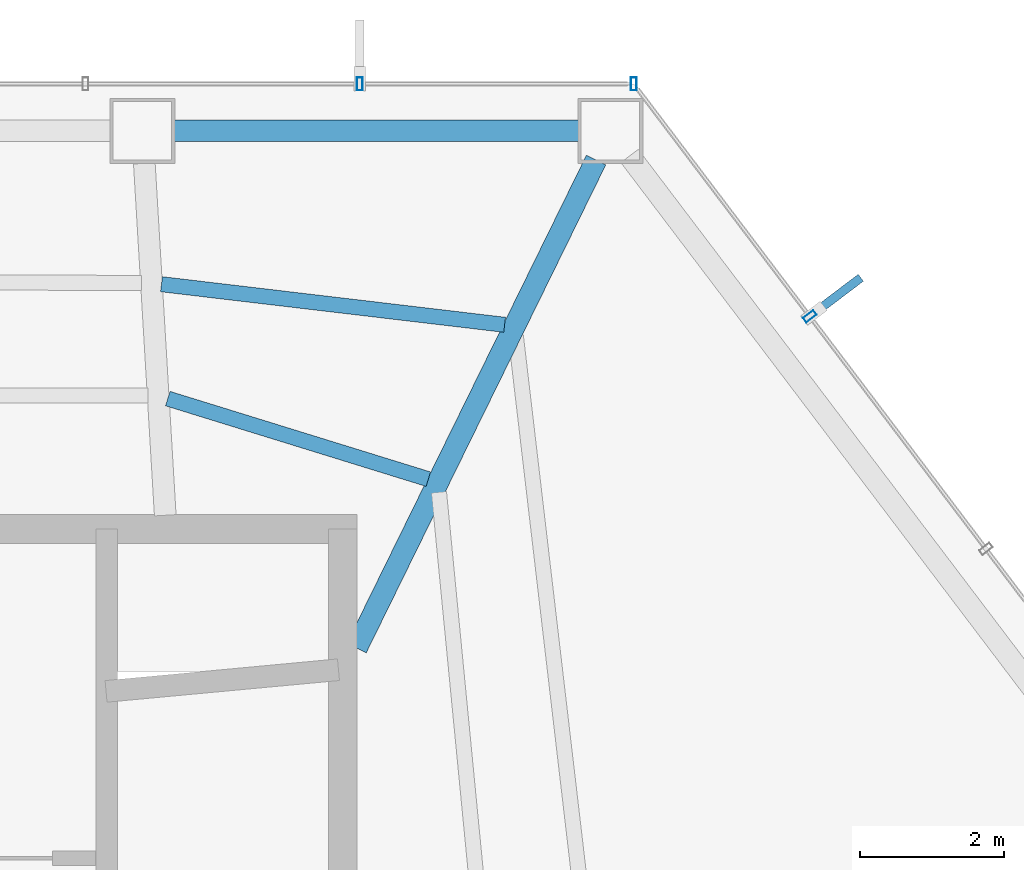
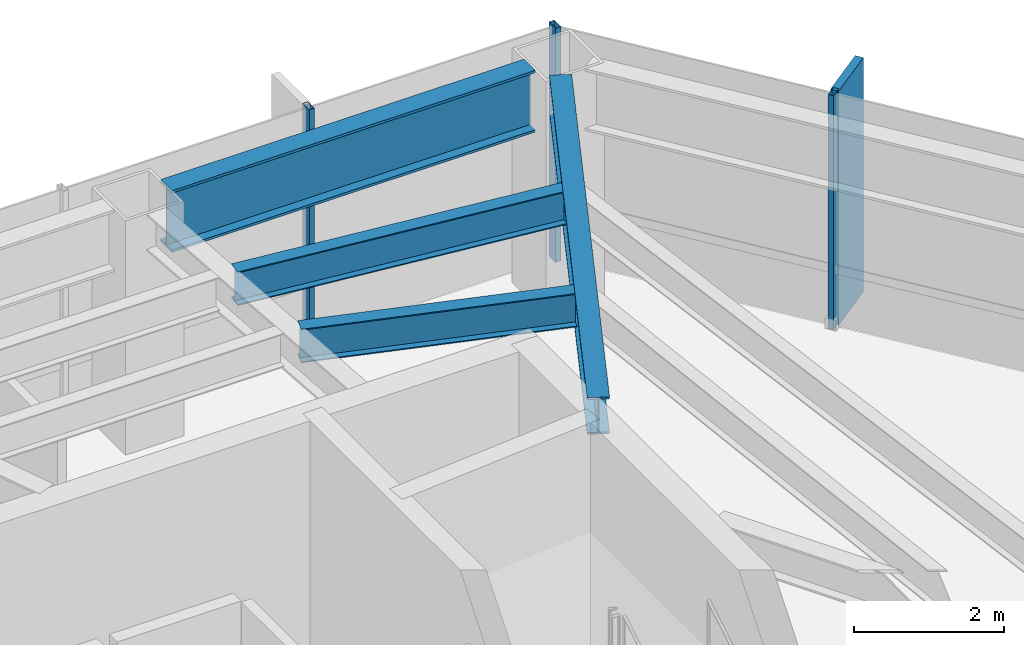
# One storey, part 19 of 25: 4 beams, 4 members, 2 elements without a shape of their own.
"""IFC4 building model written with IfcOpenShell, lengths in metres."""

import ifcopenshell
import ifcopenshell.guid

model = None  # the IFC model being written
_history = None  # IfcOwnerHistory: only IFC2X3 demands one
_inside = {}  # id of a spatial element -> (the spatial element, [elements in it])
_under = {}  # id of a project, library or spatial element -> (it, [spatial elements below it])
_declared = {}  # id of a project -> (the project, [libraries it declares])
_typed = {}  # id of a type object -> (the type object, [elements of that type])
_made_of = {}  # id of a material, layer set ... -> (it, [elements and type objects made of it])


def new_model(schema):
    """Start an empty IFC model of exactly this schema.

    Asked for "IFC4X3", IfcOpenShell would pick the latest addendum, in which some entities
    have other attributes; the version numbers below select the first issue.
    IFC2X3 requires an IfcOwnerHistory on every rooted entity: one is made here for all.
    """
    global model, _history
    if schema == "IFC4X3":
        model = ifcopenshell.file(schema_version=(4, 3, 0, 0))
    else:
        model = ifcopenshell.file(schema=schema)
    _inside.clear()
    _under.clear()
    _declared.clear()
    _typed.clear()
    _made_of.clear()
    _history = None
    if model.schema == "IFC2X3":
        org = make("IfcOrganization", Name="unknown")
        user = make(
            "IfcPersonAndOrganization",
            ThePerson=make("IfcPerson", FamilyName="unknown"),
            TheOrganization=org,
        )
        app = make(
            "IfcApplication",
            ApplicationDeveloper=org,
            Version="unknown",
            ApplicationFullName="unknown",
            ApplicationIdentifier="unknown",
        )
        _history = make(
            "IfcOwnerHistory",
            OwningUser=user,
            OwningApplication=app,
            ChangeAction="ADDED",
            CreationDate=0,
        )
    return model


def make(cls, **values):
    """One entity of the class cls with the attributes given. An attribute that is None is left unset."""
    return model.create_entity(
        cls, **{name: value for name, value in values.items() if value is not None}
    )


def rooted(cls, **values):
    """An entity with a GlobalId (a new one), such as an element, a storey or a relation."""
    return make(cls, GlobalId=ifcopenshell.guid.new(), OwnerHistory=_history, **values)


def si_unit(unit_type, name, prefix=None):
    """IfcSIUnit, for example si_unit("LENGTHUNIT", "METRE", prefix="MILLI")."""
    return make("IfcSIUnit", UnitType=unit_type, Prefix=prefix, Name=name)


def assignment(units):
    """IfcUnitAssignment: the units of a project."""
    return None if units is None else make("IfcUnitAssignment", Units=units)


def point(xyz):
    """IfcCartesianPoint."""
    return None if xyz is None else make("IfcCartesianPoint", Coordinates=xyz)


def direction(xyz):
    """IfcDirection."""
    return None if xyz is None else make("IfcDirection", DirectionRatios=xyz)


def frame(location, z_axis=None, x_axis=None):
    """IfcAxis2Placement3D, a coordinate frame: its origin and axes. An axis left out is left unset."""
    return make(
        "IfcAxis2Placement3D",
        Location=point(location),
        Axis=direction(z_axis),
        RefDirection=direction(x_axis),
    )


def frame_2d(location, x_axis=None):
    """IfcAxis2Placement2D, a coordinate frame in the plane: its origin and x axis."""
    return make(
        "IfcAxis2Placement2D", Location=point(location), RefDirection=direction(x_axis)
    )


def origin():
    """The frame at (0, 0, 0) with its axes left unset."""
    return frame((0.0, 0.0, 0.0))


def origin_2d():
    """The frame at (0, 0) in the plane with its x axis left unset."""
    return frame_2d((0.0, 0.0))


def place(relative_to, where):
    """IfcLocalPlacement: puts the frame where relative to a parent placement (None: the world)."""
    return make(
        "IfcLocalPlacement", PlacementRelTo=relative_to, RelativePlacement=where
    )


def context(
    kind, dimensions, precision=None, world=None, true_north=None, identifier=None
):
    """IfcGeometricRepresentationContext, for example the 3D "Model" context."""
    return make(
        "IfcGeometricRepresentationContext",
        ContextIdentifier=identifier,
        ContextType=kind,
        CoordinateSpaceDimension=dimensions,
        Precision=precision,
        WorldCoordinateSystem=world,
        TrueNorth=true_north,
    )


def subcontext(parent, identifier, kind, view, scale=None):
    """IfcGeometricRepresentationSubContext, for example "Body" below "Model"."""
    return make(
        "IfcGeometricRepresentationSubContext",
        ContextIdentifier=identifier,
        ContextType=kind,
        ParentContext=parent,
        TargetScale=scale,
        TargetView=view,
    )


def project(units=None, contexts=None):
    """IfcProject with its units and contexts."""
    return rooted(
        "IfcProject",
        Name="project",
        RepresentationContexts=contexts,
        UnitsInContext=assignment(units),
    )


def spatial(cls, under=None, at=None, **own):
    """A site, building, storey or space (cls), placed at a placement, below another one or the project."""
    s = rooted(cls, ObjectPlacement=at, **own)
    if under is not None:
        _under.setdefault(under.id(), (under, []))[1].append(s)
    return s


def profile(cls, at=None, kind="AREA", **sizes):
    """A parametric profile (cls). Its sizes go by their IFC names, for example OverallWidth=200.0."""
    return make(cls, ProfileType=kind, Position=at, **sizes)


def rectangle(**sizes):
    """IfcRectangleProfileDef."""
    return profile("IfcRectangleProfileDef", **sizes)


def hollow_rectangle(**sizes):
    """IfcRectangleHollowProfileDef."""
    return profile("IfcRectangleHollowProfileDef", **sizes)


def i_section(**sizes):
    """IfcIShapeProfileDef."""
    return profile("IfcIShapeProfileDef", **sizes)


def extrude(swept, where, along, depth):
    """IfcExtrudedAreaSolid: the profile swept, set in the frame where, extruded along a direction by depth."""
    return make(
        "IfcExtrudedAreaSolid",
        SweptArea=swept,
        Position=where,
        ExtrudedDirection=direction(along),
        Depth=depth,
    )


def shape(context_of_items, identifier, shape_type, items):
    """IfcShapeRepresentation: the items that make up one representation, for example the "Body"."""
    return make(
        "IfcShapeRepresentation",
        ContextOfItems=context_of_items,
        RepresentationIdentifier=identifier,
        RepresentationType=shape_type,
        Items=items,
    )


def material(Name=None, Category=None):
    """IfcMaterial."""
    return make("IfcMaterial", Name=Name, Category=Category)


def layer(
    of_material, thickness, ventilated=None, Name=None, Category=None, Priority=None
):
    """IfcMaterialLayer: one layer of a wall or slab, of a material (None: an air gap)."""
    return make(
        "IfcMaterialLayer",
        Material=of_material,
        LayerThickness=thickness,
        IsVentilated=ventilated,
        Name=Name,
        Category=Category,
        Priority=Priority,
    )


def layer_set(layers, Name=None):
    """IfcMaterialLayerSet."""
    return make("IfcMaterialLayerSet", MaterialLayers=layers, LayerSetName=Name)


def material_profile(
    of_material, cross_section, Name=None, Category=None, Priority=None
):
    """IfcMaterialProfile: a cross section and its material."""
    return make(
        "IfcMaterialProfile",
        Name=Name,
        Material=of_material,
        Profile=cross_section,
        Priority=Priority,
        Category=Category,
    )


def profile_set(profiles, Name=None, composite=None):
    """IfcMaterialProfileSet."""
    return make(
        "IfcMaterialProfileSet",
        Name=Name,
        MaterialProfiles=profiles,
        CompositeProfile=composite,
    )


def made_of(thing, what):
    """Note that an element or type object is made of a material, layer set ...; save() writes the relation."""
    if what is not None:
        _made_of.setdefault(what.id(), (what, []))[1].append(thing)
    return thing


def type_object(cls, material=None, **own):
    """A type object (cls), such as IfcWallType, which elements share."""
    return made_of(rooted(cls, **own), material)


def element(
    cls,
    number,
    at=None,
    inside=None,
    cuts=None,
    type_object=None,
    material=None,
    context=None,
    identifier="Body",
    shape_type=None,
    held_by="IfcProductDefinitionShape",
    body=None,
    shapes=None,
    **own,
):
    """One element of the class cls, such as IfcWall. Its Tag is "e" and its number.

    at: its placement. inside: the storey or other place that contains it. cuts: it is an
    opening in that element (IfcRelVoidsElement). A single representation is given by context,
    identifier, shape_type and body (its items); several are given by shapes. held_by: the class
    of the entity that holds the representations. save() writes the other relations.
    """
    e = rooted(cls, Tag="e%d" % number, ObjectPlacement=at, **own)
    if body is not None:
        shapes = [shape(context, identifier, shape_type, body)]
    if shapes is not None:
        e.Representation = make(held_by, Representations=shapes)
    if inside is not None:
        _inside.setdefault(inside.id(), (inside, []))[1].append(e)
    if cuts is not None:
        rooted(
            "IfcRelVoidsElement", RelatingBuildingElement=cuts, RelatedOpeningElement=e
        )
    if type_object is not None:
        _typed.setdefault(type_object.id(), (type_object, []))[1].append(e)
    return made_of(e, material)


def aggregate(whole, parts):
    """IfcRelAggregates: a whole, such as a stair, and the parts it consists of."""
    return rooted("IfcRelAggregates", RelatingObject=whole, RelatedObjects=parts)


def save(model, path):
    """Write the relations noted so far, then the file.

    IfcRelAggregates (storeys below a building ...), IfcRelContainedInSpatialStructure (elements
    in a storey), IfcRelDefinesByType, IfcRelAssociatesMaterial and IfcRelDeclares: one each for
    every whole, place, type object, material and project.
    """
    for whole, parts in _under.values():
        aggregate(whole, parts)
    for where, things in _inside.values():
        rooted(
            "IfcRelContainedInSpatialStructure",
            RelatedElements=things,
            RelatingStructure=where,
        )
    for kind, things in _typed.values():
        rooted("IfcRelDefinesByType", RelatedObjects=things, RelatingType=kind)
    for what, things in _made_of.values():
        rooted("IfcRelAssociatesMaterial", RelatedObjects=things, RelatingMaterial=what)
    for by, libraries in _declared.values():
        rooted("IfcRelDeclares", RelatingContext=by, RelatedDefinitions=libraries)
    model.write(path)


model = new_model("IFC4")

# Units and contexts
model_context = context("Model", 3, precision=1e-05, world=origin(), true_north=direction((0.0, 1.0)))
body_context = subcontext(model_context, "Body", "Model", "MODEL_VIEW")
ifc_project = project(units=[si_unit("LENGTHUNIT", "METRE"), si_unit("AREAUNIT", "SQUARE_METRE"), si_unit("VOLUMEUNIT", "CUBIC_METRE"), si_unit("PLANEANGLEUNIT", "RADIAN"), si_unit("MASSUNIT", "GRAM", prefix="KILO")], contexts=[model_context])

# Site, building, storey
site_placement = place(None, origin())
site = spatial("IfcSite", under=ifc_project, at=site_placement, CompositionType="ELEMENT")
building_placement = place(site_placement, origin())
building = spatial("IfcBuilding", under=site, at=building_placement, Name="Zarrinselat Tower", CompositionType="ELEMENT")
storey_placement = place(building_placement, frame((0.0, 0.0, 88.739990234375)))
storey = spatial("IfcBuildingStorey", under=building, at=storey_placement, Name="L21", CompositionType="ELEMENT", Elevation=88.739990234375)

# Beams
ifc_material_1 = material(Name="Steel S355J2", Category="steel")
ifc_material_profile_1 = material_profile(ifc_material_1, i_section(OverallWidth=0.300048828125, OverallDepth=0.60009765625, WebThickness=0.015380859375, FlangeThickness=0.030029296875, at=origin_2d()), Name="HEB 600")
ifc_profile_set_1 = profile_set([ifc_material_profile_1], Name="Steel S355J2")
beam_type_1 = type_object("IfcBeamType", Name="BM-HEB600", PredefinedType="BEAM", material=ifc_profile_set_1)
beam_1_placement = place(storey_placement, frame((48.449951171875, 41.800048828125, 3.52001953125), z_axis=(0.440705958749, 0.897651523657, 0.0), x_axis=(-0.897651523657, 0.440705958749, 0.0)))
element("IfcBeam", 1, at=beam_1_placement, inside=storey, type_object=beam_type_1, Name="L21 Radial Primary Girder RG01", PredefinedType="BEAM", context=body_context, shape_type="SweptSolid", body=[
    extrude(i_section(OverallWidth=0.300048828125, OverallDepth=0.60009765625, WebThickness=0.015380859375, FlangeThickness=0.030029296875, at=origin_2d()), origin(), (0.0, 0.0, 1.0), 7.531982421875),
])
ifc_material_2 = material(Name="Steel S460M", Category="steel")
ifc_material_profile_2 = material_profile(ifc_material_2, i_section(OverallWidth=0.302001953125, OverallDepth=1.008056640625, WebThickness=0.02099609375, FlangeThickness=0.0400390625, at=origin_2d()), Name="HEM 1000")
ifc_profile_set_2 = profile_set([ifc_material_profile_2], Name="Steel S460M")
beam_type_2 = type_object("IfcBeamType", Name="BM-HEM1000", PredefinedType="BEAM", material=ifc_profile_set_2)
beam_2_placement = place(storey_placement, frame((45.921142578125, 48.966796875, 3.31591796875), z_axis=(1.0, 0.0, 0.0), x_axis=(0.0, 1.0, 0.0)))
element("IfcBeam", 2, at=beam_2_placement, inside=storey, type_object=beam_type_2, Name="L21 Perimeter Spandrel Girder SP01", PredefinedType="BEAM", context=body_context, shape_type="SweptSolid", body=[
    extrude(i_section(OverallWidth=0.302001953125, OverallDepth=1.008056640625, WebThickness=0.02099609375, FlangeThickness=0.0400390625, at=origin_2d()), origin(), (0.0, 0.0, 1.0), 5.609375),
])
ifc_material_3 = material(Name="Steel S355J2", Category="steel")
ifc_material_profile_3 = material_profile(ifc_material_3, i_section(OverallWidth=0.2099609375, OverallDepth=0.550048828125, WebThickness=0.010986328125, FlangeThickness=0.01708984375, at=origin_2d()), Name="IPE 550")
ifc_profile_set_3 = profile_set([ifc_material_profile_3], Name="Steel S355J2")
beam_type_3 = type_object("IfcBeamType", Name="BM-IPE550", PredefinedType="JOIST", material=ifc_profile_set_3)
beam_3_placement = place(storey_placement, frame((45.74755859375, 46.84130859375, 3.544921875), z_axis=(0.993073107699, -0.117498096859, 0.0), x_axis=(0.117498096859, 0.993073107699, 0.0)))
element("IfcBeam", 3, at=beam_3_placement, inside=storey, type_object=beam_type_3, Name="L21 Composite Floor Joist 6-1", PredefinedType="JOIST", context=body_context, shape_type="SweptSolid", body=[
    extrude(i_section(OverallWidth=0.2099609375, OverallDepth=0.550048828125, WebThickness=0.010986328125, FlangeThickness=0.01708984375, at=origin_2d()), origin(), (0.0, 0.0, 1.0), 4.787353515625),
])
beam_4_placement = place(storey_placement, frame((45.835205078125, 45.25634765625, 3.544921875), z_axis=(0.955364513976, -0.295429594718, 0.0), x_axis=(0.295429594718, 0.955364513976, 0.0)))
element("IfcBeam", 4, at=beam_4_placement, inside=storey, type_object=beam_type_3, Name="L21 Composite Floor Joist 6-2", PredefinedType="JOIST", context=body_context, shape_type="SweptSolid", body=[
    extrude(i_section(OverallWidth=0.2099609375, OverallDepth=0.550048828125, WebThickness=0.010986328125, FlangeThickness=0.01708984375, at=origin_2d()), origin(), (0.0, 0.0, 1.0), 3.7783203125),
])

# Curtain wall, members
ifc_material_4 = material(Name="Extruded Aluminium Alloy EN AW-6063 T6", Category="aluminium")
ifc_layer = layer(ifc_material_4, 0.18505859375)
ifc_layer_set = layer_set([ifc_layer], Name="Extruded Aluminium Alloy EN AW-6063 T6")
curtain_wall_type = type_object("IfcCurtainWallType", Name="CWS-OFF", PredefinedType="NOTDEFINED", material=ifc_layer_set)
curtain_wall_1_placement = place(storey_placement, origin())
curtain_wall_1 = element("IfcCurtainWall", 5, at=curtain_wall_1_placement, inside=storey, type_object=curtain_wall_type, Name="L21 Unitised Curtain Wall CW-L21-E01", PredefinedType="NOTDEFINED")
ifc_material_5 = material(Name="Extruded Aluminium Alloy EN AW-6063 T6", Category="aluminium")
ifc_material_profile_4 = material_profile(ifc_material_5, hollow_rectangle(XDim=0.080078125, YDim=0.179931640625, WallThickness=0.0048828125, at=origin_2d()), Name="RHS 180x80x5")
ifc_profile_set_4 = profile_set([ifc_material_profile_4], Name="Extruded Aluminium Alloy EN AW-6063 T6")
member_type_1 = type_object("IfcMemberType", Name="MEM-CW-MUL", PredefinedType="MULLION", material=ifc_profile_set_4)
member_1_placement = place(storey_placement, frame((52.29150390625, 49.61669921875, 0.0), z_axis=(0.0, 0.0, 1.0), x_axis=(-1.0, 0.0, 0.0)))
member_1 = element("IfcMember", 6, at=member_1_placement, type_object=member_type_1, Name="CW-L21-E01 Mullion 0", PredefinedType="MULLION", context=body_context, shape_type="SweptSolid", body=[
    extrude(hollow_rectangle(XDim=0.080078125, YDim=0.179931640625, WallThickness=0.0048828125, at=origin_2d()), origin(), (0.0, 0.0, 1.0), 3.820068359375),
])
member_2_placement = place(storey_placement, frame((48.493408203125, 49.61669921875, 0.0), z_axis=(0.0, 0.0, 1.0), x_axis=(-1.0, 0.0, 0.0)))
member_2 = element("IfcMember", 7, at=member_2_placement, type_object=member_type_1, Name="CW-L21-E01 Mullion 1", PredefinedType="MULLION", context=body_context, shape_type="SweptSolid", body=[
    extrude(hollow_rectangle(XDim=0.080078125, YDim=0.179931640625, WallThickness=0.0048828125, at=origin_2d()), origin(), (0.0, 0.0, 1.0), 3.820068359375),
])
aggregate(curtain_wall_1, [member_1, member_2])

curtain_wall_2_placement = place(storey_placement, origin())
curtain_wall_2 = element("IfcCurtainWall", 8, at=curtain_wall_2_placement, inside=storey, type_object=curtain_wall_type, Name="L21 Unitised Curtain Wall CW-L21-E06", PredefinedType="NOTDEFINED")
member_3_placement = place(storey_placement, frame((54.731201171875, 46.396240234375, 0.0), z_axis=(0.0, 0.0, 1.0), x_axis=(-0.603858164533, 0.797091787141, 0.0)))
member_3 = element("IfcMember", 9, at=member_3_placement, type_object=member_type_1, Name="CW-L21-E06 Mullion 3", PredefinedType="MULLION", context=body_context, shape_type="SweptSolid", body=[
    extrude(hollow_rectangle(XDim=0.080078125, YDim=0.179931640625, WallThickness=0.0048828125, at=origin_2d()), origin(), (0.0, 0.0, 1.0), 3.820068359375),
])
ifc_material_6 = material(Name="Honed Cream Travertine Stone", Category="masonry")
ifc_material_profile_5 = material_profile(ifc_material_6, rectangle(XDim=0.1201171875, YDim=0.85009765625, at=origin_2d()), Name="FIN 850x120")
ifc_profile_set_5 = profile_set([ifc_material_profile_5], Name="Honed Cream Travertine Stone")
member_type_2 = type_object("IfcMemberType", Name="MEM-STONE-FIN", PredefinedType="USERDEFINED", material=ifc_profile_set_5)
member_4_placement = place(storey_placement, frame((55.097900390625, 46.674072265625, 0.0), z_axis=(0.0, 0.0, 1.0), x_axis=(0.603858164533, -0.797091787141, 0.0)))
member_4 = element("IfcMember", 10, at=member_4_placement, type_object=member_type_2, Name="L21 Stone Shading Fin CW-L21-E06-03", ObjectType="FIN", PredefinedType="USERDEFINED", context=body_context, shape_type="SweptSolid", body=[
    extrude(rectangle(XDim=0.1201171875, YDim=0.85009765625, at=origin_2d()), origin(), (0.0, 0.0, 1.0), 3.820068359375),
])
aggregate(curtain_wall_2, [member_3, member_4])

save(model, "model.ifc")
